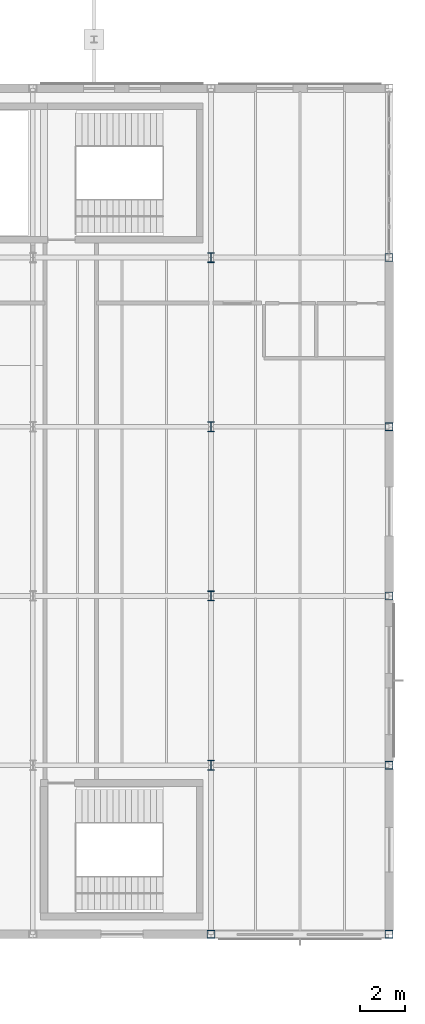
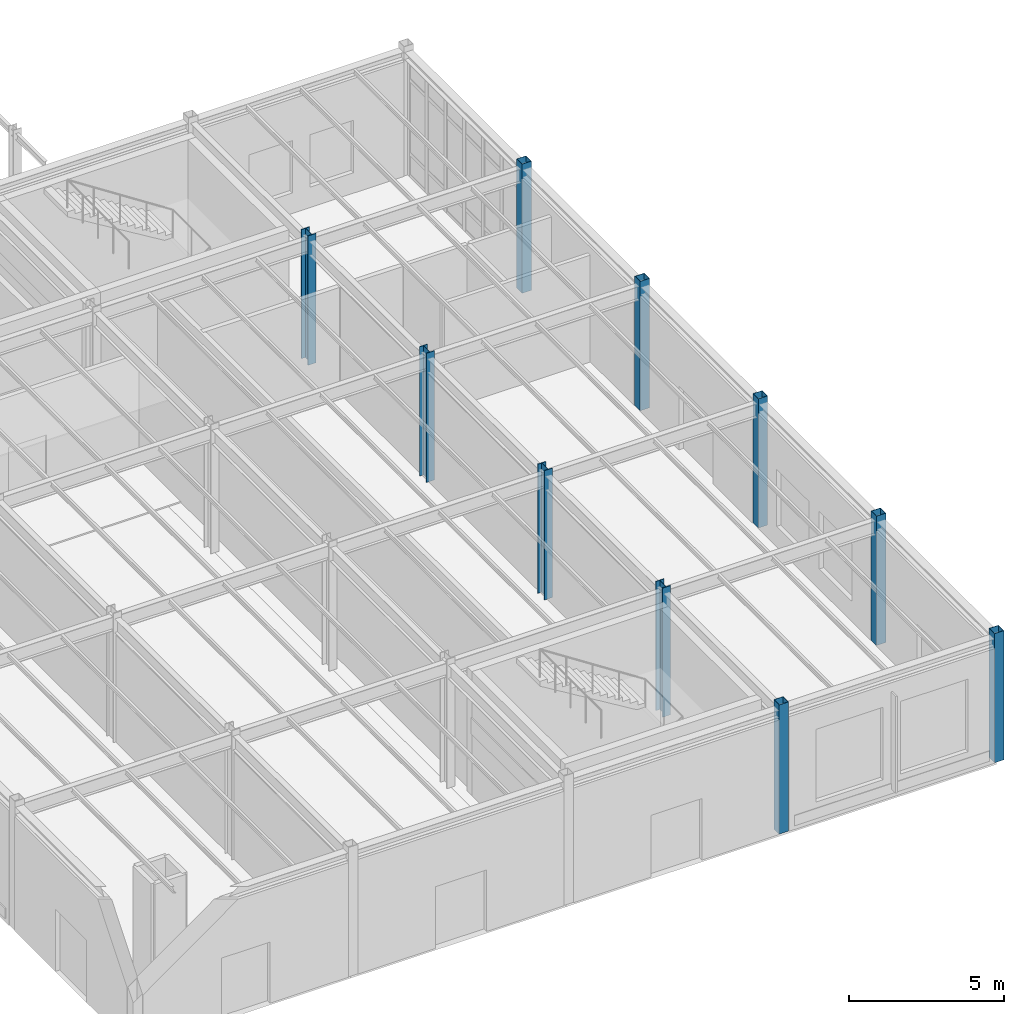
# One storey, part 21 of 109: 10 columns.
"""IFC4 building model written with IfcOpenShell, lengths in metres."""

from ifc_helpers import new_model, si_unit, direction, frame, origin, origin_2d, place, context, subcontext, project, spatial, hollow_rectangle, i_section, extrude, material, material_profile, profile_set, type_object, element, save


model = new_model("IFC4")

# Units and contexts
model_context = context("Model", 3, precision=1e-05, world=origin(), true_north=direction((0.0, 1.0)))
body_context = subcontext(model_context, "Body", "Model", "MODEL_VIEW")
ifc_project = project(units=[si_unit("LENGTHUNIT", "METRE"), si_unit("AREAUNIT", "SQUARE_METRE"), si_unit("VOLUMEUNIT", "CUBIC_METRE"), si_unit("PLANEANGLEUNIT", "RADIAN"), si_unit("MASSUNIT", "GRAM", prefix="KILO")], contexts=[model_context])

# Site, building, storey
site_placement = place(None, origin())
site = spatial("IfcSite", under=ifc_project, at=site_placement, CompositionType="ELEMENT")
building_placement = place(site_placement, origin())
building = spatial("IfcBuilding", under=site, at=building_placement, Name="Montecoro Central Library", CompositionType="ELEMENT")
storey_placement = place(building_placement, origin())
storey = spatial("IfcBuildingStorey", under=building, at=storey_placement, Name="L00", CompositionType="ELEMENT", Elevation=0.0)

# Columns
ifc_material_1 = material(Name="Steel S355", Category="steel")
ifc_material_profile_1 = material_profile(ifc_material_1, i_section(OverallWidth=0.300048828125, OverallDepth=0.449951171875, WebThickness=0.013916015625, FlangeThickness=0.02587890625, at=origin_2d()), Name="HEB 450")
ifc_profile_set_1 = profile_set([ifc_material_profile_1], Name="Steel S355")
column_type_1 = type_object("IfcColumnType", Name="COL-HEB450", PredefinedType="COLUMN", material=ifc_profile_set_1)
for number, where, z_axis, x_axis, name in (
    (1, (165.0, 12.60009765625, 0.0), (0.0, 0.0, 1.0), (1.0, 0.0, 0.0), "V6-L00-COL-21-B"),
    (2, (165.0, 20.199951171875, 0.0), (0.0, 0.0, 1.0), (1.0, 0.0, 0.0), "V6-L00-COL-21-C"),
    (3, (165.0, 27.800048828125, 0.0), (0.0, 0.0, 1.0), (1.0, 0.0, 0.0), "V6-L00-COL-21-D"),
    (4, (165.0, 35.39990234375, 0.0), (0.0, 0.0, 1.0), (1.0, 0.0, 0.0), "V6-L00-COL-21-E"),
):
    element("IfcColumn", number, at=place(storey_placement, frame(where, z_axis=z_axis, x_axis=x_axis)), inside=storey, type_object=column_type_1, Name=name, PredefinedType="COLUMN", context=body_context, shape_type="SweptSolid", body=[
        extrude(i_section(OverallWidth=0.300048828125, OverallDepth=0.449951171875, WebThickness=0.013916015625, FlangeThickness=0.02587890625, at=origin_2d()), origin(), (0.0, 0.0, 1.0), 5.074951171875),
    ])
ifc_material_2 = material(Name="Steel S355J2", Category="steel")
ifc_material_profile_2 = material_profile(ifc_material_2, hollow_rectangle(XDim=0.35009765625, YDim=0.35009765625, WallThickness=0.01416015625, at=origin_2d()), Name="SHS 350x350x14.2")
ifc_profile_set_2 = profile_set([ifc_material_profile_2], Name="Steel S355J2")
column_type_2 = type_object("IfcColumnType", Name="COL-SHS350", PredefinedType="COLUMN", material=ifc_profile_set_2)
for number, where, z_axis, x_axis, name in (
    (5, (165.0, 5.0, 0.0), (0.0, 0.0, 1.0), (1.0, 0.0, 0.0), "V6-L00-COL-21-A"),
    (6, (173.0, 5.0, 0.0), (0.0, 0.0, 1.0), (1.0, 0.0, 0.0), "V6-L00-COL-22-A"),
    (7, (173.0, 12.60009765625, 0.0), (0.0, 0.0, 1.0), (1.0, 0.0, 0.0), "V6-L00-COL-22-B"),
    (8, (173.0, 20.199951171875, 0.0), (0.0, 0.0, 1.0), (1.0, 0.0, 0.0), "V6-L00-COL-22-C"),
    (9, (173.0, 27.800048828125, 0.0), (0.0, 0.0, 1.0), (1.0, 0.0, 0.0), "V6-L00-COL-22-D"),
    (10, (173.0, 35.39990234375, 0.0), (0.0, 0.0, 1.0), (1.0, 0.0, 0.0), "V6-L00-COL-22-E"),
):
    element("IfcColumn", number, at=place(storey_placement, frame(where, z_axis=z_axis, x_axis=x_axis)), inside=storey, type_object=column_type_2, Name=name, PredefinedType="COLUMN", context=body_context, shape_type="SweptSolid", body=[
        extrude(hollow_rectangle(XDim=0.35009765625, YDim=0.35009765625, WallThickness=0.01416015625, at=origin_2d()), origin(), (0.0, 0.0, 1.0), 5.074951171875),
    ])

save(model, "model.ifc")
